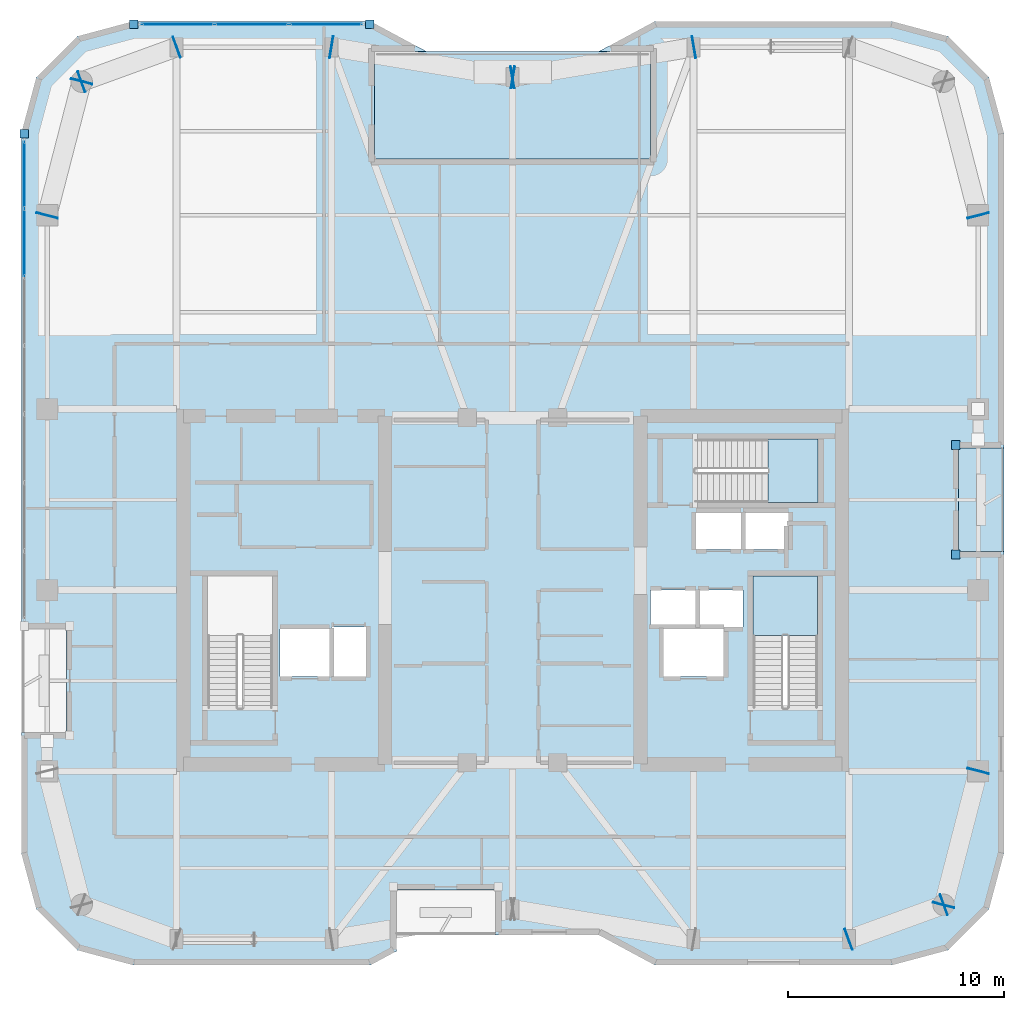
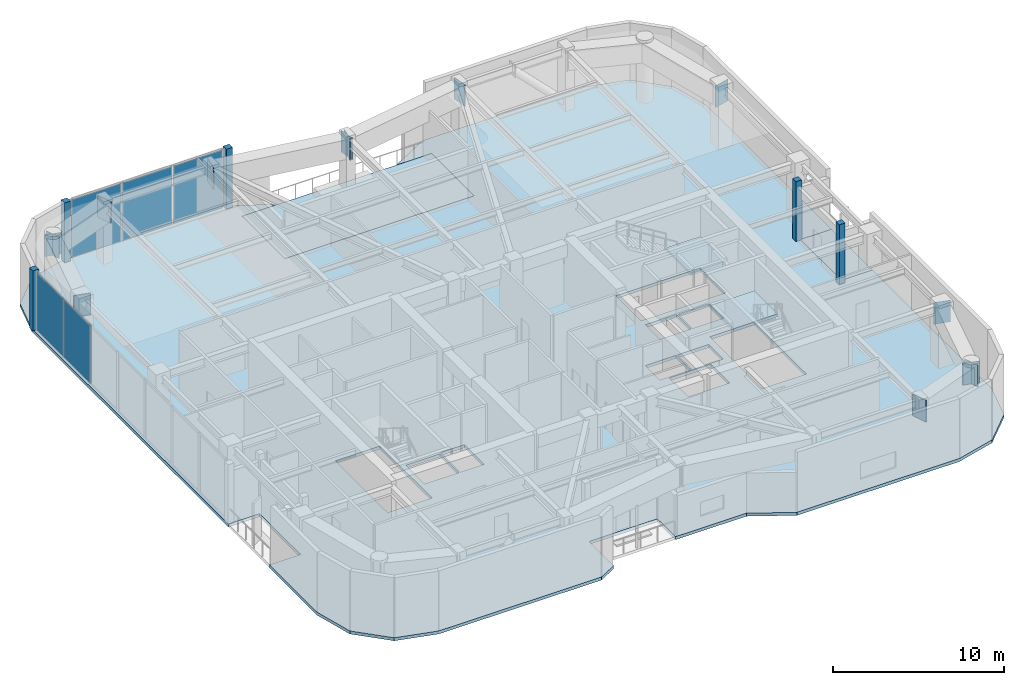
# One storey, part 11 of 19: 23 plates, 5 slabs, 4 elements without a shape of their own.
"""IFC4 building model written with IfcOpenShell, lengths in metres."""

from ifc_helpers import new_model, si_unit, direction, frame, origin, origin_2d, place, context, subcontext, project, spatial, polyline, rectangle, outline, extrude, material, layer, layer_set, type_object, element, aggregate, save


model = new_model("IFC4")

# Units and contexts
model_context = context("Model", 3, precision=1e-05, world=origin(), true_north=direction((0.0, 1.0)))
body_context = subcontext(model_context, "Body", "Model", "MODEL_VIEW")
ifc_project = project(units=[si_unit("LENGTHUNIT", "METRE"), si_unit("AREAUNIT", "SQUARE_METRE"), si_unit("VOLUMEUNIT", "CUBIC_METRE"), si_unit("PLANEANGLEUNIT", "RADIAN"), si_unit("MASSUNIT", "GRAM", prefix="KILO")], contexts=[model_context])

# Site, building, storey
site_placement = place(None, origin())
site = spatial("IfcSite", under=ifc_project, at=site_placement, CompositionType="ELEMENT")
building_placement = place(site_placement, origin())
building = spatial("IfcBuilding", under=site, at=building_placement, Name="Kiyonajd Concourse Tower", CompositionType="ELEMENT")
storey_placement = place(building_placement, frame((0.0, 0.0, 238.800048828125)))
storey = spatial("IfcBuildingStorey", under=building, at=storey_placement, Name="L60", CompositionType="ELEMENT", Elevation=238.800048828125)

# Plates
ifc_material_1 = material(Name="Steel ASTM A572 Grade 50", Category="steel")
ifc_layer_1 = layer(ifc_material_1, 0.031982421875)
ifc_layer_set_1 = layer_set([ifc_layer_1], Name="Steel ASTM A572 Grade 50")
plate_type_1 = type_object("IfcPlateType", Name="PL-CAP-540", PredefinedType="USERDEFINED", material=ifc_layer_set_1)
for number, where, z_axis, x_axis, name in (
    (1, (63.589599609375, 19.796142578125, 2.809814453125), (0.0, 0.0, 1.0), (-0.939811951086, -0.341692107891, 0.0), "L60 Welded Box Girder End Cap"),
    (2, (68.01025390625, 21.40380859375, 2.809814453125), (0.0, 0.0, 1.0), (0.939811951086, 0.341692107891, 0.0), "L60 Welded Box Girder End Cap"),
    (3, (67.997314453125, 21.389404296875, 2.809814453125), (0.0, 0.0, 1.0), (-0.249873048837, -0.968278606324, 0.0), "L60 Welded Box Girder End Cap"),
    (4, (69.602783203125, 27.610595703125, 2.809814453125), (0.0, 0.0, 1.0), (0.249873048837, 0.968278606324, 0.0), "L60 Welded Box Girder End Cap"),
    (5, (69.602783203125, 53.389404296875, 2.809814453125), (0.0, 0.0, 1.0), (0.249873048837, -0.968278606324, 0.0), "L60 Welded Box Girder End Cap"),
    (6, (56.410888671875, 61.201904296875, 2.809814453125), (0.0, 0.0, 1.0), (0.986400586142, 0.164359008451, 0.0), "L60 Welded Box Girder End Cap"),
    (7, (47.989013671875, 59.798095703125, 2.809814453125), (0.0, 0.0, 1.0), (-0.986400586142, -0.164359008451, 0.0), "L60 Welded Box Girder End Cap"),
    (8, (48.010986328125, 59.798095703125, 2.809814453125), (0.0, 0.0, 1.0), (0.986400586142, -0.164359008451, 0.0), "L60 Welded Box Girder End Cap"),
    (9, (39.589111328125, 61.201904296875, 2.809814453125), (0.0, 0.0, 1.0), (-0.986400586142, 0.164359008451, 0.0), "L60 Welded Box Girder End Cap"),
    (10, (32.410400390625, 61.203857421875, 2.809814453125), (0.0, 0.0, 1.0), (0.939811951086, 0.341692107891, 0.0), "L60 Welded Box Girder End Cap"),
    (11, (27.98974609375, 59.59619140625, 2.809814453125), (0.0, 0.0, 1.0), (-0.939811951086, -0.341692107891, 0.0), "L60 Welded Box Girder End Cap"),
    (12, (28.002685546875, 59.610595703125, 2.809814453125), (0.0, 0.0, 1.0), (0.249873048837, 0.968278606324, 0.0), "L60 Welded Box Girder End Cap"),
    (13, (26.397216796875, 53.389404296875, 2.809814453125), (0.0, 0.0, 1.0), (-0.249873048837, -0.968278606324, 0.0), "L60 Welded Box Girder End Cap"),
):
    element("IfcPlate", number, at=place(storey_placement, frame(where, z_axis=z_axis, x_axis=x_axis)), inside=storey, type_object=plate_type_1, Name=name, ObjectType="CAP PLATE", PredefinedType="USERDEFINED", context=body_context, shape_type="SweptSolid", body=[
        extrude(rectangle(XDim=0.035888671875, YDim=1.02001953125, at=origin_2d()), origin(), (0.0, 0.0, 1.0), 1.5400390625),
    ])

# Curtain wall, plates
ifc_material_2 = material(Name="Thermally Broken Anodised Aluminium", Category="aluminium")
ifc_layer_2 = layer(ifc_material_2, 0.179931640625)
ifc_layer_set_2 = layer_set([ifc_layer_2], Name="Thermally Broken Anodised Aluminium")
curtain_wall_type = type_object("IfcCurtainWallType", Name="CW-SYS-05", PredefinedType="NOTDEFINED", material=ifc_layer_set_2)
curtain_wall_1_placement = place(storey_placement, origin())
curtain_wall_1 = element("IfcCurtainWall", 14, at=curtain_wall_1_placement, inside=storey, type_object=curtain_wall_type, Name="L60 Unitised Curtain Wall CW5", PredefinedType="NOTDEFINED")
ifc_material_3 = material(Name="Double Low-E Insulated Glass", Category="glass")
ifc_layer_3 = layer(ifc_material_3, 0.0400390625)
ifc_layer_set_3 = layer_set([ifc_layer_3], Name="Double Low-E Insulated Glass")
plate_type_2 = type_object("IfcPlateType", Name="PL-CW-VIS40", PredefinedType="CURTAIN_PANEL", material=ifc_layer_set_3)
plate_1_placement = place(storey_placement, frame((25.340087890625, 52.121337890625, 0.074951171875), z_axis=(0.0, 0.0, 1.0), x_axis=(0.0, 1.0, 0.0)))
plate_1 = element("IfcPlate", 15, at=plate_1_placement, type_object=plate_type_2, Name="CW5 panel 6.1", PredefinedType="CURTAIN_PANEL", context=body_context, shape_type="SweptSolid", body=[
    extrude(rectangle(XDim=3.105224609375, YDim=0.0400390625, at=origin_2d()), origin(), (0.0, 0.0, 1.0), 4.1298828125),
])
plate_2_placement = place(storey_placement, frame((25.340087890625, 55.28271484375, 0.074951171875), z_axis=(0.0, 0.0, 1.0), x_axis=(0.0, 1.0, 0.0)))
plate_2 = element("IfcPlate", 16, at=plate_2_placement, type_object=plate_type_2, Name="CW5 panel 7.1", PredefinedType="CURTAIN_PANEL", context=body_context, shape_type="SweptSolid", body=[
    extrude(rectangle(XDim=3.067626953125, YDim=0.0400390625, at=origin_2d()), origin(), (0.0, 0.0, 1.0), 4.1298828125),
])
aggregate(curtain_wall_1, [plate_1, plate_2])

curtain_wall_2_placement = place(storey_placement, origin())
curtain_wall_2 = element("IfcCurtainWall", 17, at=curtain_wall_2_placement, inside=storey, type_object=curtain_wall_type, Name="L60 Unitised Curtain Wall CW5", PredefinedType="NOTDEFINED")
plate_3_placement = place(storey_placement, frame((32.454833984375, 62.260009765625, 0.074951171875), z_axis=(0.0, 0.0, 1.0), x_axis=(1.0, 0.0, 0.0)))
plate_3 = element("IfcPlate", 18, at=plate_3_placement, type_object=plate_type_2, Name="CW5 panel 1.1", PredefinedType="CURTAIN_PANEL", context=body_context, shape_type="SweptSolid", body=[
    extrude(rectangle(XDim=3.343017578125, YDim=0.0400390625, at=origin_2d()), origin(), (0.0, 0.0, 1.0), 4.1298828125),
])
plate_4_placement = place(storey_placement, frame((35.8916015625, 62.260009765625, 0.074951171875), z_axis=(0.0, 0.0, 1.0), x_axis=(1.0, 0.0, 0.0)))
plate_4 = element("IfcPlate", 19, at=plate_4_placement, type_object=plate_type_2, Name="CW5 panel 2.1", PredefinedType="CURTAIN_PANEL", context=body_context, shape_type="SweptSolid", body=[
    extrude(rectangle(XDim=3.38037109375, YDim=0.0400390625, at=origin_2d()), origin(), (0.0, 0.0, 1.0), 4.1298828125),
])
plate_5_placement = place(storey_placement, frame((39.328125, 62.260009765625, 0.074951171875), z_axis=(0.0, 0.0, 1.0), x_axis=(1.0, 0.0, 0.0)))
plate_5 = element("IfcPlate", 20, at=plate_5_placement, type_object=plate_type_2, Name="CW5 panel 3.1", PredefinedType="CURTAIN_PANEL", context=body_context, shape_type="SweptSolid", body=[
    extrude(rectangle(XDim=3.343017578125, YDim=0.0400390625, at=origin_2d()), origin(), (0.0, 0.0, 1.0), 4.1298828125),
])
aggregate(curtain_wall_2, [plate_3, plate_4, plate_5])

# Plates
ifc_layer_4 = layer(ifc_material_2, 0.39990234375)
ifc_layer_set_4 = layer_set([ifc_layer_4], Name="Thermally Broken Anodised Aluminium")
plate_type_3 = type_object("IfcPlateType", Name="PL-JMB-400", PredefinedType="USERDEFINED", material=ifc_layer_set_4)
for number, where, z_axis, x_axis, name in (
    (21, (25.340087890625, 57.181640625, 0.0), (0.0, 0.0, 1.0), (1.0, 0.0, 0.0), "L60 Facade Jamb Closure Plate 04"),
    (22, (30.41845703125, 62.260009765625, 0.0), (0.0, 0.0, 1.0), (1.0, 0.0, 0.0), "L60 Facade Jamb Closure Plate 05"),
    (23, (41.36474609375, 62.260009765625, 0.0), (0.0, 0.0, 1.0), (1.0, 0.0, 0.0), "L60 Facade Jamb Closure Plate 06"),
    (24, (68.56005859375, 42.739990234375, 0.0), (0.0, 0.0, 1.0), (1.0, 0.0, 0.0), "L60 Facade Jamb Closure Plate 07"),
    (25, (68.56005859375, 37.659912109375, 0.0), (0.0, 0.0, 1.0), (1.0, 0.0, 0.0), "L60 Facade Jamb Closure Plate 08"),
):
    element("IfcPlate", number, at=place(storey_placement, frame(where, z_axis=z_axis, x_axis=x_axis)), inside=storey, type_object=plate_type_3, Name=name, ObjectType="JAMB PLATE", PredefinedType="USERDEFINED", context=body_context, shape_type="SweptSolid", body=[
        extrude(rectangle(XDim=0.39990234375, YDim=0.39990234375, at=origin_2d()), origin(), (0.0, 0.0, 1.0), 4.280029296875),
    ])

# Stair, slab
ifc_material_4 = material(Name="Concrete C40/50", Category="concrete")
stair_type = type_object("IfcStairType", Name="ST-DLG-26R", PredefinedType="HALF_TURN_STAIR", material=ifc_material_4)
stair_1_placement = place(storey_placement, origin())
stair_1 = element("IfcStair", 26, at=stair_1_placement, inside=storey, type_object=stair_type, Name="L60 Protected Exit Stair ST2", PredefinedType="HALF_TURN_STAIR")
ifc_layer_5 = layer(ifc_material_4, 0.199951171875)
ifc_layer_set_5 = layer_set([ifc_layer_5], Name="Concrete C40/50")
slab_type_1 = type_object("IfcSlabType", Name="SL-LND-200", PredefinedType="LANDING", material=ifc_layer_set_5)
slab_1_placement = place(storey_placement, frame((0.0, 0.0, 2.050048828125)))
slab_1 = element("IfcSlab", 27, at=slab_1_placement, type_object=slab_type_1, Name="ST2 landing 1", PredefinedType="LANDING", context=body_context, shape_type="SweptSolid", body=[
    extrude(outline(polyline([(62.14990234375, 33.909912109375), (62.14990234375, 36.64990234375), (59.14990234375, 36.64990234375), (59.14990234375, 33.909912109375), (62.14990234375, 33.909912109375)])), origin(), (0.0, 0.0, 1.0), 0.199951171875),
])
aggregate(stair_1, [slab_1])

stair_2_placement = place(storey_placement, origin())
stair_2 = element("IfcStair", 28, at=stair_2_placement, inside=storey, type_object=stair_type, Name="L60 Protected Exit Stair ST3", PredefinedType="HALF_TURN_STAIR")
slab_2_placement = place(storey_placement, frame((0.0, 0.0, 2.050048828125)))
slab_2 = element("IfcSlab", 29, at=slab_2_placement, type_object=slab_type_1, Name="ST3 landing 1", PredefinedType="LANDING", context=body_context, shape_type="SweptSolid", body=[
    extrude(outline(polyline([(59.840087890625, 40.080078125), (62.179931640625, 40.080078125), (62.179931640625, 43.02001953125), (59.840087890625, 43.02001953125), (59.840087890625, 40.080078125)])), origin(), (0.0, 0.0, 1.0), 0.199951171875),
])
aggregate(stair_2, [slab_2])

# Slabs
ifc_material_5 = material(Name="Precast concrete C50/60", Category="concrete")
ifc_layer_6 = layer(ifc_material_5, 0.199951171875)
ifc_layer_set_6 = layer_set([ifc_layer_6], Name="Precast concrete C50/60")
slab_type_2 = type_object("IfcSlabType", Name="SL-LOG-200", PredefinedType="FLOOR", material=ifc_layer_set_6)
slab_3_placement = place(storey_placement, frame((0.0, 0.0, -0.199951171875)))
element("IfcSlab", 30, at=slab_3_placement, inside=storey, type_object=slab_type_2, Name="L60 Recessed Engawa Loggia Terrace Slab LOG-E", PredefinedType="FLOOR", context=body_context, shape_type="SweptSolid", body=[
    extrude(outline(polyline([(68.699951171875, 37.800048828125), (70.800048828125, 37.800048828125), (70.800048828125, 42.60009765625), (68.699951171875, 42.60009765625), (68.699951171875, 37.800048828125)])), origin(), (0.0, 0.0, 1.0), 0.199951171875),
])
ifc_material_6 = material(Name="Concrete C50/60", Category="concrete")
ifc_layer_7 = layer(ifc_material_6, 0.219970703125)
ifc_layer_set_7 = layer_set([ifc_layer_7], Name="Concrete C50/60")
slab_type_3 = type_object("IfcSlabType", Name="SL-SKY-220", PredefinedType="FLOOR", material=ifc_layer_set_7)
slab_4_placement = place(storey_placement, frame((0.0, 0.0, -0.219970703125)))
element("IfcSlab", 31, at=slab_4_placement, inside=storey, type_object=slab_type_3, Name="L60 North Oasis Sky Garden Terrace Slab", PredefinedType="FLOOR", context=body_context, shape_type="SweptSolid", body=[
    extrude(outline(polyline([(41.60009765625, 56.0), (54.39990234375, 56.0), (54.39990234375, 61.0), (41.60009765625, 61.0), (41.60009765625, 56.0)])), origin(), (0.0, 0.0, 1.0), 0.219970703125),
])
ifc_layer_8 = layer(ifc_material_4, 0.219970703125)
ifc_layer_set_8 = layer_set([ifc_layer_8], Name="Concrete C40/50")
slab_type_4 = type_object("IfcSlabType", Name="SL-TWR-220", PredefinedType="FLOOR", material=ifc_layer_set_8)
slab_5_placement = place(storey_placement, frame((0.0, 0.0, -0.219970703125)))
element("IfcSlab", 32, at=slab_5_placement, inside=storey, type_object=slab_type_4, Name="L60 Tower Conditioned Floor Slab", PredefinedType="FLOOR", context=body_context, shape_type="SweptSolid", body=[
    extrude(outline(polyline([(25.89697265625, 21.199951171875), (25.199951171875, 23.800048828125), (25.199951171875, 29.39990234375), (27.300048828125, 29.39990234375), (27.300048828125, 34.199951171875), (25.199951171875, 34.199951171875), (25.199951171875, 57.199951171875), (25.89697265625, 59.800048828125), (27.800048828125, 61.702880859375), (30.39990234375, 62.39990234375), (41.39990234375, 62.39990234375), (44.0, 61.0), (41.60009765625, 61.0), (41.60009765625, 56.0), (54.39990234375, 56.0), (54.39990234375, 61.0), (52.0, 61.0), (54.60009765625, 62.39990234375), (65.60009765625, 62.39990234375), (68.199951171875, 61.702880859375), (70.10302734375, 59.800048828125), (70.800048828125, 57.199951171875), (70.800048828125, 42.60009765625), (68.699951171875, 42.60009765625), (68.699951171875, 37.800048828125), (70.800048828125, 37.800048828125), (70.800048828125, 23.800048828125), (70.10302734375, 21.199951171875), (68.199951171875, 19.297119140625), (65.60009765625, 18.60009765625), (54.60009765625, 18.60009765625), (52.0, 20.0), (47.199951171875, 20.0), (47.199951171875, 22.10009765625), (42.60009765625, 22.10009765625), (42.60009765625, 19.24609375), (41.39990234375, 18.60009765625), (30.39990234375, 18.60009765625), (27.800048828125, 19.297119140625), (25.89697265625, 21.199951171875)]), holes=[polyline([(39.5, 32.0), (37.199951171875, 32.0), (37.199951171875, 34.199951171875), (39.5, 34.199951171875), (39.5, 32.0)]), polyline([(57.800048828125, 32.0), (55.0, 32.0), (55.0, 34.199951171875), (57.800048828125, 34.199951171875), (57.800048828125, 32.0)]), polyline([(41.199951171875, 32.0), (39.60009765625, 32.0), (39.60009765625, 34.300048828125), (41.199951171875, 34.300048828125), (41.199951171875, 32.0)]), polyline([(33.85009765625, 30.550048828125), (33.85009765625, 36.64990234375), (36.85009765625, 36.64990234375), (36.85009765625, 30.550048828125), (33.85009765625, 30.550048828125)]), polyline([(59.14990234375, 30.550048828125), (59.14990234375, 36.64990234375), (62.14990234375, 36.64990234375), (62.14990234375, 30.550048828125), (59.14990234375, 30.550048828125)]), polyline([(56.5, 34.300048828125), (54.39990234375, 34.300048828125), (54.39990234375, 36.0), (56.5, 36.0), (56.5, 34.300048828125)]), polyline([(58.699951171875, 34.300048828125), (56.60009765625, 34.300048828125), (56.60009765625, 36.0), (58.699951171875, 36.0), (58.699951171875, 34.300048828125)]), polyline([(58.60009765625, 37.89990234375), (56.5, 37.89990234375), (56.5, 39.60009765625), (58.60009765625, 39.60009765625), (58.60009765625, 37.89990234375)]), polyline([(58.699951171875, 37.89990234375), (58.699951171875, 39.60009765625), (60.800048828125, 39.60009765625), (60.800048828125, 37.89990234375), (58.699951171875, 37.89990234375)]), polyline([(56.47998046875, 43.02001953125), (62.179931640625, 43.02001953125), (62.179931640625, 40.080078125), (56.47998046875, 40.080078125), (56.47998046875, 43.02001953125)])]), origin(), (0.0, 0.0, 1.0), 0.219970703125),
])

save(model, "model.ifc")
